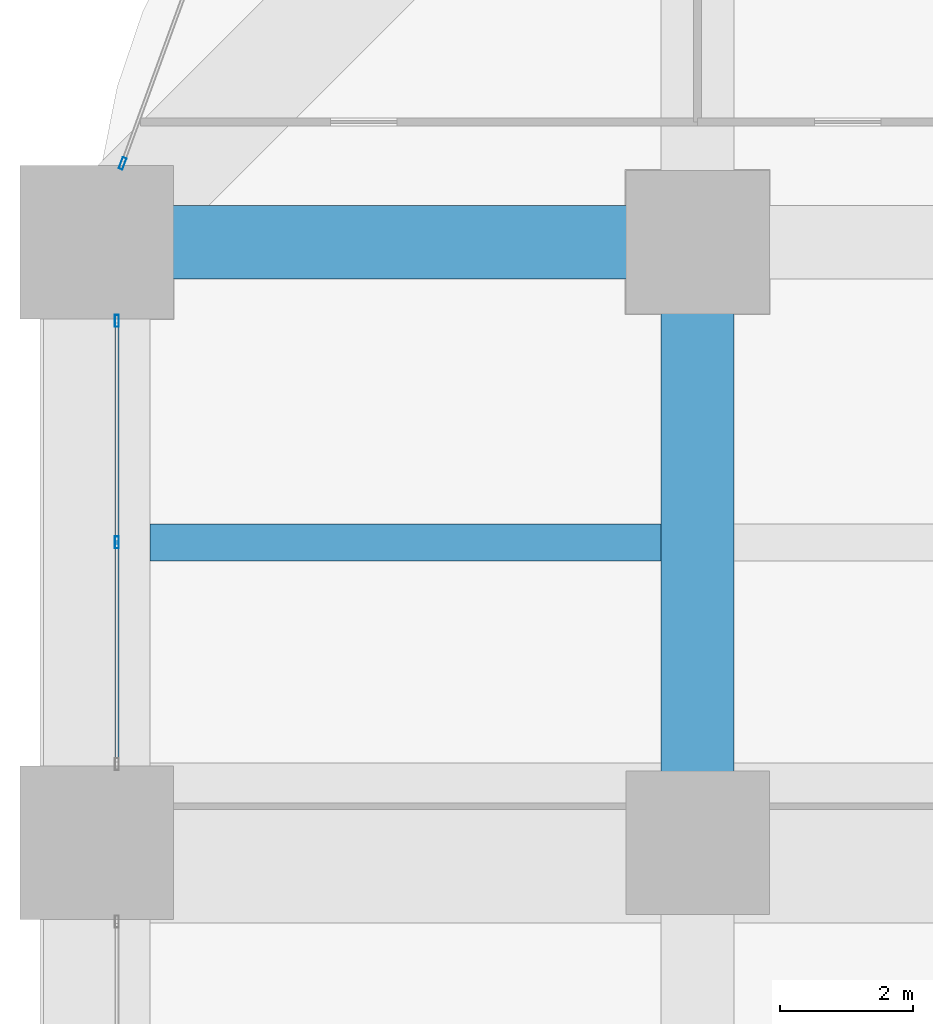
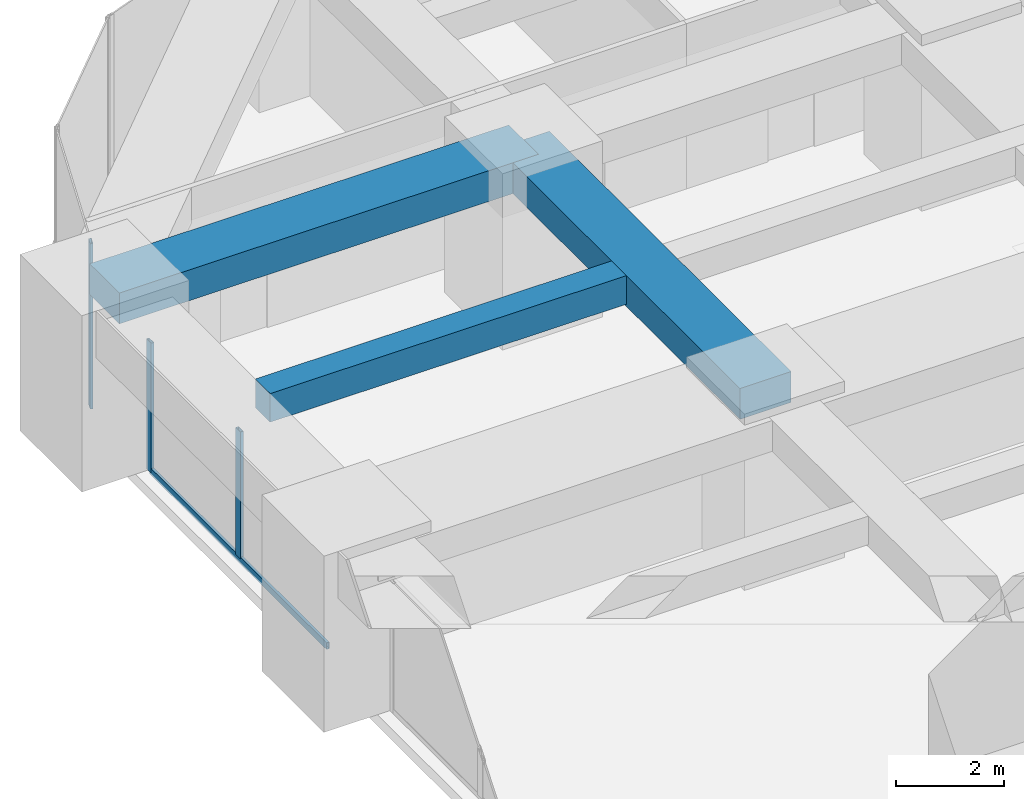
# One storey, part 25 of 44: 4 members, 3 beams, 2 elements without a shape of their own.
"""IFC4 building model written with IfcOpenShell, lengths in metres."""

import ifcopenshell
import ifcopenshell.guid

model = None  # the IFC model being written
_history = None  # IfcOwnerHistory: only IFC2X3 demands one
_inside = {}  # id of a spatial element -> (the spatial element, [elements in it])
_under = {}  # id of a project, library or spatial element -> (it, [spatial elements below it])
_declared = {}  # id of a project -> (the project, [libraries it declares])
_typed = {}  # id of a type object -> (the type object, [elements of that type])
_made_of = {}  # id of a material, layer set ... -> (it, [elements and type objects made of it])


def new_model(schema):
    """Start an empty IFC model of exactly this schema.

    Asked for "IFC4X3", IfcOpenShell would pick the latest addendum, in which some entities
    have other attributes; the version numbers below select the first issue.
    IFC2X3 requires an IfcOwnerHistory on every rooted entity: one is made here for all.
    """
    global model, _history
    if schema == "IFC4X3":
        model = ifcopenshell.file(schema_version=(4, 3, 0, 0))
    else:
        model = ifcopenshell.file(schema=schema)
    _inside.clear()
    _under.clear()
    _declared.clear()
    _typed.clear()
    _made_of.clear()
    _history = None
    if model.schema == "IFC2X3":
        org = make("IfcOrganization", Name="unknown")
        user = make(
            "IfcPersonAndOrganization",
            ThePerson=make("IfcPerson", FamilyName="unknown"),
            TheOrganization=org,
        )
        app = make(
            "IfcApplication",
            ApplicationDeveloper=org,
            Version="unknown",
            ApplicationFullName="unknown",
            ApplicationIdentifier="unknown",
        )
        _history = make(
            "IfcOwnerHistory",
            OwningUser=user,
            OwningApplication=app,
            ChangeAction="ADDED",
            CreationDate=0,
        )
    return model


def make(cls, **values):
    """One entity of the class cls with the attributes given. An attribute that is None is left unset."""
    return model.create_entity(
        cls, **{name: value for name, value in values.items() if value is not None}
    )


def rooted(cls, **values):
    """An entity with a GlobalId (a new one), such as an element, a storey or a relation."""
    return make(cls, GlobalId=ifcopenshell.guid.new(), OwnerHistory=_history, **values)


def si_unit(unit_type, name, prefix=None):
    """IfcSIUnit, for example si_unit("LENGTHUNIT", "METRE", prefix="MILLI")."""
    return make("IfcSIUnit", UnitType=unit_type, Prefix=prefix, Name=name)


def assignment(units):
    """IfcUnitAssignment: the units of a project."""
    return None if units is None else make("IfcUnitAssignment", Units=units)


def point(xyz):
    """IfcCartesianPoint."""
    return None if xyz is None else make("IfcCartesianPoint", Coordinates=xyz)


def direction(xyz):
    """IfcDirection."""
    return None if xyz is None else make("IfcDirection", DirectionRatios=xyz)


def frame(location, z_axis=None, x_axis=None):
    """IfcAxis2Placement3D, a coordinate frame: its origin and axes. An axis left out is left unset."""
    return make(
        "IfcAxis2Placement3D",
        Location=point(location),
        Axis=direction(z_axis),
        RefDirection=direction(x_axis),
    )


def frame_2d(location, x_axis=None):
    """IfcAxis2Placement2D, a coordinate frame in the plane: its origin and x axis."""
    return make(
        "IfcAxis2Placement2D", Location=point(location), RefDirection=direction(x_axis)
    )


def origin():
    """The frame at (0, 0, 0) with its axes left unset."""
    return frame((0.0, 0.0, 0.0))


def origin_2d():
    """The frame at (0, 0) in the plane with its x axis left unset."""
    return frame_2d((0.0, 0.0))


def place(relative_to, where):
    """IfcLocalPlacement: puts the frame where relative to a parent placement (None: the world)."""
    return make(
        "IfcLocalPlacement", PlacementRelTo=relative_to, RelativePlacement=where
    )


def context(
    kind, dimensions, precision=None, world=None, true_north=None, identifier=None
):
    """IfcGeometricRepresentationContext, for example the 3D "Model" context."""
    return make(
        "IfcGeometricRepresentationContext",
        ContextIdentifier=identifier,
        ContextType=kind,
        CoordinateSpaceDimension=dimensions,
        Precision=precision,
        WorldCoordinateSystem=world,
        TrueNorth=true_north,
    )


def subcontext(parent, identifier, kind, view, scale=None):
    """IfcGeometricRepresentationSubContext, for example "Body" below "Model"."""
    return make(
        "IfcGeometricRepresentationSubContext",
        ContextIdentifier=identifier,
        ContextType=kind,
        ParentContext=parent,
        TargetScale=scale,
        TargetView=view,
    )


def project(units=None, contexts=None):
    """IfcProject with its units and contexts."""
    return rooted(
        "IfcProject",
        Name="project",
        RepresentationContexts=contexts,
        UnitsInContext=assignment(units),
    )


def spatial(cls, under=None, at=None, **own):
    """A site, building, storey or space (cls), placed at a placement, below another one or the project."""
    s = rooted(cls, ObjectPlacement=at, **own)
    if under is not None:
        _under.setdefault(under.id(), (under, []))[1].append(s)
    return s


def profile(cls, at=None, kind="AREA", **sizes):
    """A parametric profile (cls). Its sizes go by their IFC names, for example OverallWidth=200.0."""
    return make(cls, ProfileType=kind, Position=at, **sizes)


def rectangle(**sizes):
    """IfcRectangleProfileDef."""
    return profile("IfcRectangleProfileDef", **sizes)


def hollow_rectangle(**sizes):
    """IfcRectangleHollowProfileDef."""
    return profile("IfcRectangleHollowProfileDef", **sizes)


def extrude(swept, where, along, depth):
    """IfcExtrudedAreaSolid: the profile swept, set in the frame where, extruded along a direction by depth."""
    return make(
        "IfcExtrudedAreaSolid",
        SweptArea=swept,
        Position=where,
        ExtrudedDirection=direction(along),
        Depth=depth,
    )


def shape(context_of_items, identifier, shape_type, items):
    """IfcShapeRepresentation: the items that make up one representation, for example the "Body"."""
    return make(
        "IfcShapeRepresentation",
        ContextOfItems=context_of_items,
        RepresentationIdentifier=identifier,
        RepresentationType=shape_type,
        Items=items,
    )


def material(Name=None, Category=None):
    """IfcMaterial."""
    return make("IfcMaterial", Name=Name, Category=Category)


def material_profile(
    of_material, cross_section, Name=None, Category=None, Priority=None
):
    """IfcMaterialProfile: a cross section and its material."""
    return make(
        "IfcMaterialProfile",
        Name=Name,
        Material=of_material,
        Profile=cross_section,
        Priority=Priority,
        Category=Category,
    )


def profile_set(profiles, Name=None, composite=None):
    """IfcMaterialProfileSet."""
    return make(
        "IfcMaterialProfileSet",
        Name=Name,
        MaterialProfiles=profiles,
        CompositeProfile=composite,
    )


def made_of(thing, what):
    """Note that an element or type object is made of a material, layer set ...; save() writes the relation."""
    if what is not None:
        _made_of.setdefault(what.id(), (what, []))[1].append(thing)
    return thing


def type_object(cls, material=None, **own):
    """A type object (cls), such as IfcWallType, which elements share."""
    return made_of(rooted(cls, **own), material)


def element(
    cls,
    number,
    at=None,
    inside=None,
    cuts=None,
    type_object=None,
    material=None,
    context=None,
    identifier="Body",
    shape_type=None,
    held_by="IfcProductDefinitionShape",
    body=None,
    shapes=None,
    **own,
):
    """One element of the class cls, such as IfcWall. Its Tag is "e" and its number.

    at: its placement. inside: the storey or other place that contains it. cuts: it is an
    opening in that element (IfcRelVoidsElement). A single representation is given by context,
    identifier, shape_type and body (its items); several are given by shapes. held_by: the class
    of the entity that holds the representations. save() writes the other relations.
    """
    e = rooted(cls, Tag="e%d" % number, ObjectPlacement=at, **own)
    if body is not None:
        shapes = [shape(context, identifier, shape_type, body)]
    if shapes is not None:
        e.Representation = make(held_by, Representations=shapes)
    if inside is not None:
        _inside.setdefault(inside.id(), (inside, []))[1].append(e)
    if cuts is not None:
        rooted(
            "IfcRelVoidsElement", RelatingBuildingElement=cuts, RelatedOpeningElement=e
        )
    if type_object is not None:
        _typed.setdefault(type_object.id(), (type_object, []))[1].append(e)
    return made_of(e, material)


def aggregate(whole, parts):
    """IfcRelAggregates: a whole, such as a stair, and the parts it consists of."""
    return rooted("IfcRelAggregates", RelatingObject=whole, RelatedObjects=parts)


def save(model, path):
    """Write the relations noted so far, then the file.

    IfcRelAggregates (storeys below a building ...), IfcRelContainedInSpatialStructure (elements
    in a storey), IfcRelDefinesByType, IfcRelAssociatesMaterial and IfcRelDeclares: one each for
    every whole, place, type object, material and project.
    """
    for whole, parts in _under.values():
        aggregate(whole, parts)
    for where, things in _inside.values():
        rooted(
            "IfcRelContainedInSpatialStructure",
            RelatedElements=things,
            RelatingStructure=where,
        )
    for kind, things in _typed.values():
        rooted("IfcRelDefinesByType", RelatedObjects=things, RelatingType=kind)
    for what, things in _made_of.values():
        rooted("IfcRelAssociatesMaterial", RelatedObjects=things, RelatingMaterial=what)
    for by, libraries in _declared.values():
        rooted("IfcRelDeclares", RelatingContext=by, RelatedDefinitions=libraries)
    model.write(path)


model = new_model("IFC4")

# Units and contexts
model_context = context("Model", 3, precision=1e-05, world=origin(), true_north=direction((0.0, 1.0)))
body_context = subcontext(model_context, "Body", "Model", "MODEL_VIEW")
ifc_project = project(units=[si_unit("LENGTHUNIT", "METRE"), si_unit("AREAUNIT", "SQUARE_METRE"), si_unit("VOLUMEUNIT", "CUBIC_METRE"), si_unit("PLANEANGLEUNIT", "RADIAN"), si_unit("MASSUNIT", "GRAM", prefix="KILO")], contexts=[model_context])

# Site, building, storey
site_placement = place(None, origin())
site = spatial("IfcSite", under=ifc_project, at=site_placement, CompositionType="ELEMENT")
building_placement = place(site_placement, origin())
building = spatial("IfcBuilding", under=site, at=building_placement, Name="Zorevar Civic Tower", CompositionType="ELEMENT")
storey_placement = place(building_placement, frame((0.0, 0.0, 63.800048828125)))
storey = spatial("IfcBuildingStorey", under=building, at=storey_placement, Name="L15", CompositionType="ELEMENT", Elevation=63.800048828125)

# Beams
ifc_material_1 = material(Name="Concrete C50/60", Category="concrete")
ifc_material_profile_1 = material_profile(ifc_material_1, rectangle(XDim=1.10009765625, YDim=0.699951171875, at=origin_2d()), Name="RC 1100x700")
ifc_profile_set_1 = profile_set([ifc_material_profile_1], Name="Concrete C50/60")
beam_type_1 = type_object("IfcBeamType", Name="Beam RC 1100x700", PredefinedType="BEAM", material=ifc_profile_set_1)
for number, where, z_axis, x_axis, name in (
    (1, (0.0, 45.0, 3.39990234375), (1.0, 0.0, 0.0), (0.0, 1.0, 0.0), "Girder L16"),
    (2, (9.0, 36.0, 3.39990234375), (0.0, 1.0, 0.0), (-1.0, 0.0, 0.0), "Girder L16"),
):
    element("IfcBeam", number, at=place(storey_placement, frame(where, z_axis=z_axis, x_axis=x_axis)), inside=storey, type_object=beam_type_1, Name=name, PredefinedType="BEAM", context=body_context, shape_type="SweptSolid", body=[
        extrude(rectangle(XDim=1.10009765625, YDim=0.699951171875, at=origin_2d()), origin(), (0.0, 0.0, 1.0), 9.0),
    ])
ifc_material_2 = material(Name="Concrete C50/60", Category="concrete")
ifc_material_profile_2 = material_profile(ifc_material_2, rectangle(XDim=0.550048828125, YDim=0.64990234375, at=origin_2d()), Name="RC 550x650")
ifc_profile_set_2 = profile_set([ifc_material_profile_2], Name="Concrete C50/60")
beam_type_2 = type_object("IfcBeamType", Name="Beam RC 550x650", PredefinedType="BEAM", material=ifc_profile_set_2)
beam_placement = place(storey_placement, frame((0.800048828125, 40.5, 3.425048828125), z_axis=(1.0, 0.0, 0.0), x_axis=(0.0, 1.0, 0.0)))
element("IfcBeam", 3, at=beam_placement, inside=storey, type_object=beam_type_2, Name="Secondary beam L16", PredefinedType="BEAM", context=body_context, shape_type="SweptSolid", body=[
    extrude(rectangle(XDim=0.550048828125, YDim=0.64990234375, at=origin_2d()), origin(), (0.0, 0.0, 1.0), 7.64990234375),
])

# Curtain wall, members
ifc_material_3 = material(Name="Dark grey solar-control glass in black aluminium frame", Category="aluminium")
curtain_wall_type = type_object("IfcCurtainWallType", Name="Curtain wall CW2 low zone", PredefinedType="NOTDEFINED", material=ifc_material_3)
curtain_wall_1_placement = place(storey_placement, origin())
curtain_wall_1 = element("IfcCurtainWall", 4, at=curtain_wall_1_placement, inside=storey, type_object=curtain_wall_type, Name="CW2 L15", PredefinedType="NOTDEFINED")
ifc_material_4 = material(Name="Aluminium, black anodised", Category="aluminium")
ifc_material_profile_3 = material_profile(ifc_material_4, hollow_rectangle(XDim=0.06005859375, YDim=0.179931640625, WallThickness=0.00390625, at=origin_2d()), Name="AL 180x60x4")
ifc_profile_set_3 = profile_set([ifc_material_profile_3], Name="Aluminium, black anodised")
member_type_1 = type_object("IfcMemberType", Name="CW2 mullion AL 180x60x4", PredefinedType="MULLION", material=ifc_profile_set_3)
member_1_placement = place(storey_placement, frame((0.300048828125, 40.5, 0.06005859375), z_axis=(0.0, 0.0, 1.0), x_axis=(-1.0, 0.0, 0.0)))
member_1 = element("IfcMember", 5, at=member_1_placement, type_object=member_type_1, Name="CW2 mullion 2", PredefinedType="MULLION", context=body_context, shape_type="SweptSolid", body=[
    extrude(hollow_rectangle(XDim=0.06005859375, YDim=0.179931640625, WallThickness=0.00390625, at=origin_2d()), origin(), (0.0, 0.0, 1.0), 2.889892578125),
])
member_2_placement = place(storey_placement, frame((0.300048828125, 43.820068359375, 0.0), z_axis=(0.0, 0.0, 1.0), x_axis=(-1.0, 0.0, 0.0)))
member_2 = element("IfcMember", 6, at=member_2_placement, type_object=member_type_1, Name="CW2 mullion 3", PredefinedType="MULLION", context=body_context, shape_type="SweptSolid", body=[
    extrude(hollow_rectangle(XDim=0.06005859375, YDim=0.179931640625, WallThickness=0.00390625, at=origin_2d()), origin(), (0.0, 0.0, 1.0), 2.949951171875),
])

# Curtain wall, member
curtain_wall_2_placement = place(storey_placement, origin())
curtain_wall_2 = element("IfcCurtainWall", 7, at=curtain_wall_2_placement, inside=storey, type_object=curtain_wall_type, Name="CW2 L15", PredefinedType="NOTDEFINED")
member_3_placement = place(storey_placement, frame((0.38671875, 46.17822265625, 0.0), z_axis=(0.0, 0.0, 1.0), x_axis=(0.939313345732, -0.343060400701, 0.0)))
member_3 = element("IfcMember", 8, at=member_3_placement, type_object=member_type_1, Name="CW2 mullion 2", PredefinedType="MULLION", context=body_context, shape_type="SweptSolid", body=[
    extrude(hollow_rectangle(XDim=0.06005859375, YDim=0.179931640625, WallThickness=0.00390625, at=origin_2d()), origin(), (0.0, 0.0, 1.0), 3.75),
])
aggregate(curtain_wall_2, [member_3])

# Member
ifc_material_5 = material(Name="Aluminium, black anodised", Category="aluminium")
ifc_material_profile_4 = material_profile(ifc_material_5, hollow_rectangle(XDim=0.06005859375, YDim=0.14990234375, WallThickness=0.00390625, at=origin_2d()), Name="AL 150x60x4")
ifc_profile_set_4 = profile_set([ifc_material_profile_4], Name="Aluminium, black anodised")
member_type_2 = type_object("IfcMemberType", Name="CW2 transom AL 150x60x4", PredefinedType="USERDEFINED", material=ifc_profile_set_4)
member_4_placement = place(storey_placement, frame((0.300048828125, 37.2099609375, 0.030029296875), z_axis=(0.0, 1.0, 0.0), x_axis=(-1.0, 0.0, 0.0)))
member_4 = element("IfcMember", 9, at=member_4_placement, type_object=member_type_2, Name="CW2 sill transom", ObjectType="TRANSOM", PredefinedType="USERDEFINED", context=body_context, shape_type="SweptSolid", body=[
    extrude(hollow_rectangle(XDim=0.06005859375, YDim=0.14990234375, WallThickness=0.00390625, at=origin_2d()), origin(), (0.0, 0.0, 1.0), 6.580078125),
])

aggregate(curtain_wall_1, [member_1, member_2, member_4])

save(model, "model.ifc")
